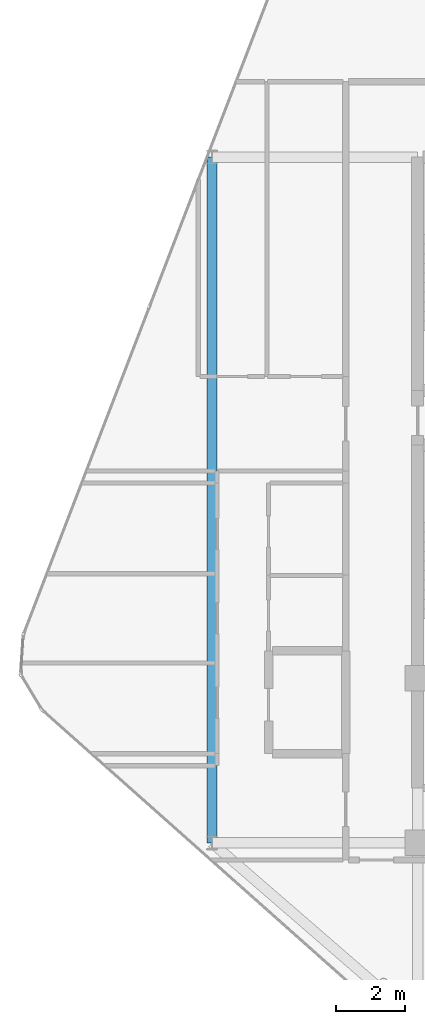
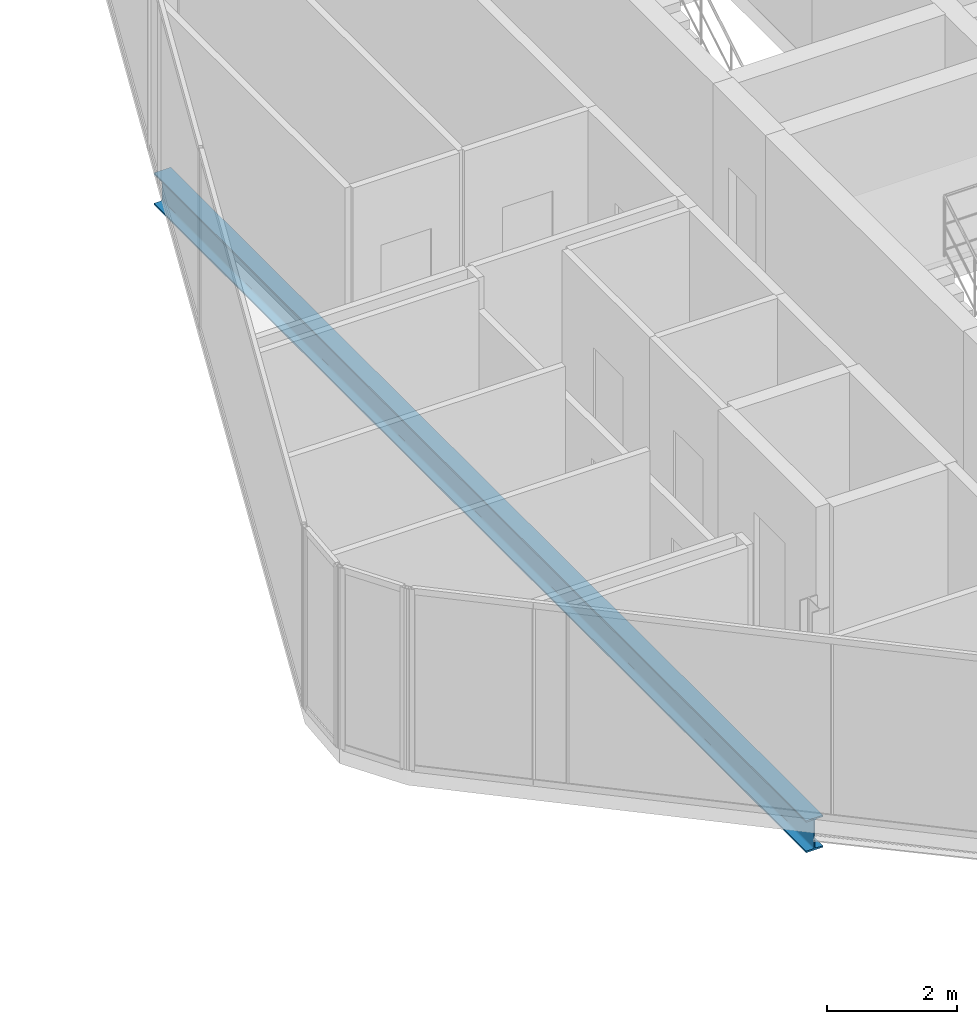
# One storey, part 11 of 31: 1 beam.
"""IFC4 building model written with IfcOpenShell, lengths in metres."""

from ifc_helpers import new_model, si_unit, direction, frame, origin, origin_2d, place, context, subcontext, project, spatial, i_section, extrude, material, material_profile, profile_set, type_object, element, save


model = new_model("IFC4")

# Units and contexts
model_context = context("Model", 3, precision=1e-05, world=origin(), true_north=direction((0.0, 1.0)))
body_context = subcontext(model_context, "Body", "Model", "MODEL_VIEW")
ifc_project = project(units=[si_unit("LENGTHUNIT", "METRE"), si_unit("AREAUNIT", "SQUARE_METRE"), si_unit("VOLUMEUNIT", "CUBIC_METRE"), si_unit("PLANEANGLEUNIT", "RADIAN"), si_unit("MASSUNIT", "GRAM", prefix="KILO")], contexts=[model_context])

# Site, building, storey
site_placement = place(None, origin())
site = spatial("IfcSite", under=ifc_project, at=site_placement, CompositionType="ELEMENT")
building_placement = place(site_placement, origin())
building = spatial("IfcBuilding", under=site, at=building_placement, Name="Keshet Zoharim Tower", CompositionType="ELEMENT")
storey_placement = place(building_placement, frame((0.0, 0.0, 276.89990234375)))
storey = spatial("IfcBuildingStorey", under=building, at=storey_placement, Name="L69", CompositionType="ELEMENT", Elevation=276.89990234375)

# Beam
ifc_material = material(Name="Steel S355", Category="steel")
ifc_material_profile = material_profile(ifc_material, i_section(OverallWidth=0.300048828125, OverallDepth=0.60009765625, WebThickness=0.015380859375, FlangeThickness=0.030029296875, FilletRadius=0.027099609375, at=origin_2d()), Name="HEB600")
ifc_profile_set = profile_set([ifc_material_profile], Name="Steel S355")
beam_type = type_object("IfcBeamType", Name="BM-LNG-HB600", PredefinedType="BEAM", material=ifc_profile_set)
beam_placement = place(storey_placement, frame((9.0, 17.89990234375, -0.60986328125), z_axis=(0.0, 1.0, 0.0), x_axis=(-1.0, 0.0, 0.0)))
element("IfcBeam", 1, at=beam_placement, inside=storey, type_object=beam_type, Name="L69 Primary Girder Y-001", PredefinedType="BEAM", context=body_context, shape_type="SweptSolid", body=[
    extrude(i_section(OverallWidth=0.300048828125, OverallDepth=0.60009765625, WebThickness=0.015380859375, FlangeThickness=0.030029296875, FilletRadius=0.027099609375, at=origin_2d()), origin(), (0.0, 0.0, 1.0), 20.0),
])

save(model, "model.ifc")
